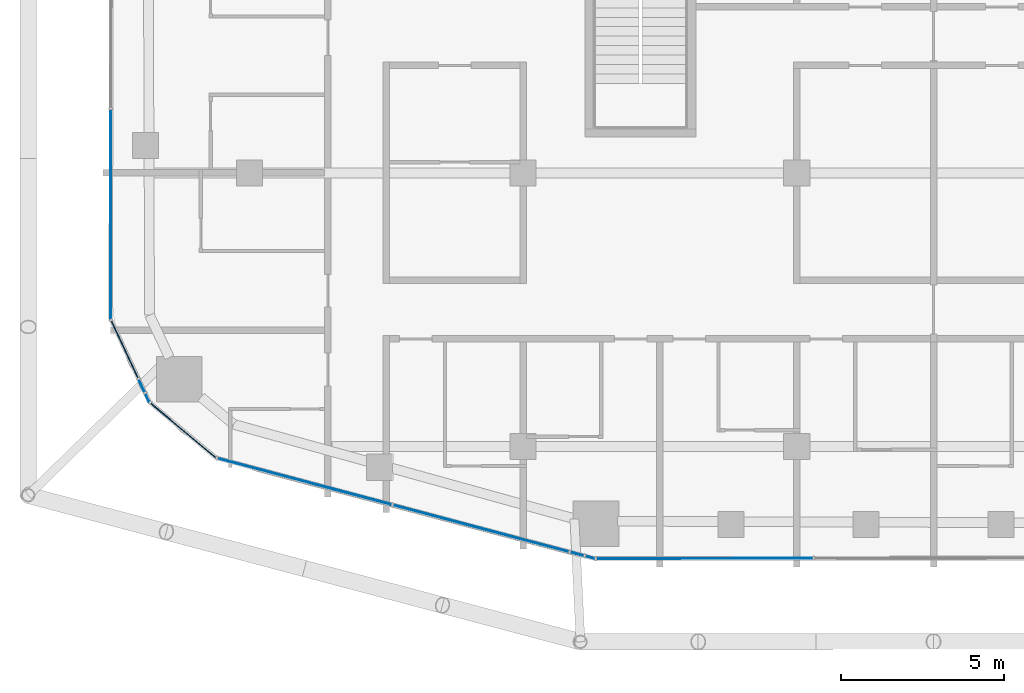
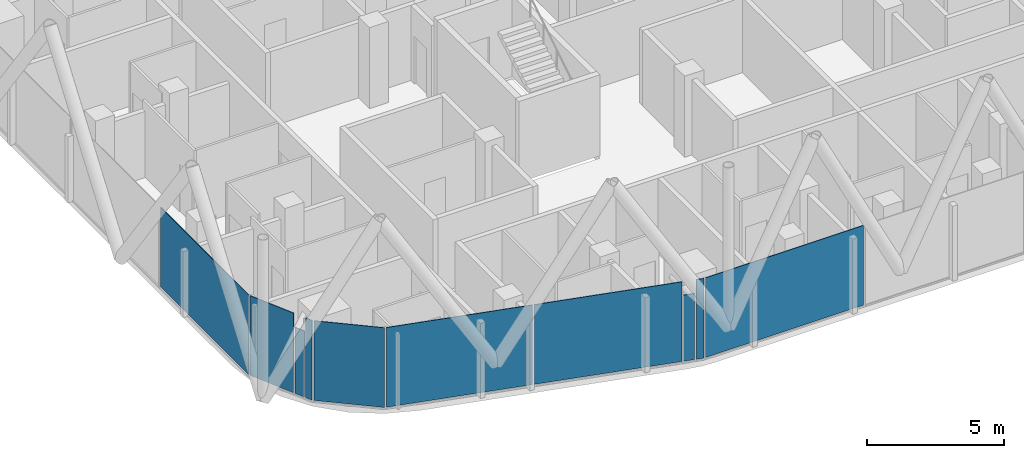
# One storey, part 14 of 28: 10 plates, 9 elements without a shape of their own.
"""IFC4 building model written with IfcOpenShell, lengths in metres."""

from ifc_helpers import new_model, si_unit, direction, frame, origin, origin_2d, place, context, subcontext, project, spatial, rectangle, extrude, material, layer, layer_set, type_object, element, aggregate, save


model = new_model("IFC4")

# Units and contexts
model_context = context("Model", 3, precision=1e-05, world=origin(), true_north=direction((0.0, 1.0)))
body_context = subcontext(model_context, "Body", "Model", "MODEL_VIEW")
ifc_project = project(units=[si_unit("LENGTHUNIT", "METRE"), si_unit("AREAUNIT", "SQUARE_METRE"), si_unit("VOLUMEUNIT", "CUBIC_METRE"), si_unit("PLANEANGLEUNIT", "RADIAN"), si_unit("MASSUNIT", "GRAM", prefix="KILO")], contexts=[model_context])

# Site, building, storey
site_placement = place(None, origin())
site = spatial("IfcSite", under=ifc_project, at=site_placement, CompositionType="ELEMENT")
building_placement = place(site_placement, origin())
building = spatial("IfcBuilding", under=site, at=building_placement, Name="Marenta Gate Hotel Tower", CompositionType="ELEMENT")
storey_placement = place(building_placement, frame((0.0, 0.0, 212.89990234375)))
storey = spatial("IfcBuildingStorey", under=building, at=storey_placement, Name="L49", CompositionType="ELEMENT", Elevation=212.89990234375)

# Curtain wall, plate
ifc_material_1 = material(Name="Tinted insulated glass in bronze anodised frame", Category="glass")
ifc_layer_1 = layer(ifc_material_1, 0.1201171875)
ifc_layer_set_1 = layer_set([ifc_layer_1], Name="Tinted insulated glass in bronze anodised frame")
curtain_wall_type = type_object("IfcCurtainWallType", Name="Tower unitised curtain wall CW1", PredefinedType="NOTDEFINED", material=ifc_layer_set_1)
curtain_wall_1_placement = place(storey_placement, origin())
curtain_wall_1 = element("IfcCurtainWall", 1, at=curtain_wall_1_placement, inside=storey, type_object=curtain_wall_type, Name="CW1 run G04", PredefinedType="NOTDEFINED")
ifc_material_2 = material(Name="Tinted insulated glass", Category="glass")
ifc_layer_2 = layer(ifc_material_2, 0.028076171875)
ifc_layer_set_2 = layer_set([ifc_layer_2], Name="Tinted insulated glass")
plate_type = type_object("IfcPlateType", Name="Glass panel CW1 28 mm tinted insulated unit", PredefinedType="CURTAIN_PANEL", material=ifc_layer_set_2)
plate_1_placement = place(storey_placement, frame((-25.26806640625, -18.078857421875, 0.06005859375), z_axis=(0.0, 0.0, 1.0), x_axis=(-0.001566045546, -0.99999877375, 0.0)))
plate_1 = element("IfcPlate", 2, at=plate_1_placement, type_object=plate_type, Name="CW1 panel 6.1", PredefinedType="CURTAIN_PANEL", context=body_context, shape_type="SweptSolid", body=[
    extrude(rectangle(XDim=6.429931640625, YDim=0.028076171875, at=origin_2d()), origin(), (0.0, 0.0, 1.0), 3.5400390625),
])
aggregate(curtain_wall_1, [plate_1])

curtain_wall_2_placement = place(storey_placement, origin())
curtain_wall_2 = element("IfcCurtainWall", 3, at=curtain_wall_2_placement, inside=storey, type_object=curtain_wall_type, Name="CW1 run G05", PredefinedType="NOTDEFINED")
plate_2_placement = place(storey_placement, frame((-24.839599609375, -22.221435546875, 0.06005859375), z_axis=(0.0, 0.0, 1.0), x_axis=(0.423331565466, -0.905974826185, 0.0)))
plate_2 = element("IfcPlate", 4, at=plate_2_placement, type_object=plate_type, Name="CW1 panel 1.1", PredefinedType="CURTAIN_PANEL", context=body_context, shape_type="SweptSolid", body=[
    extrude(rectangle(XDim=1.927734375, YDim=0.028076171875, at=origin_2d()), origin(), (0.0, 0.0, 1.0), 3.5400390625),
])
aggregate(curtain_wall_2, [plate_2])

curtain_wall_3_placement = place(storey_placement, origin())
curtain_wall_3 = element("IfcCurtainWall", 5, at=curtain_wall_3_placement, inside=storey, type_object=curtain_wall_type, Name="CW1 run G06", PredefinedType="NOTDEFINED")
plate_3_placement = place(storey_placement, frame((-24.317138671875, -23.33935546875, 0.060302734375), z_axis=(0.0, 0.0, 1.0), x_axis=(0.423387289241, -0.905948786251, 0.0)))
plate_3 = element("IfcPlate", 6, at=plate_3_placement, type_object=plate_type, Name="CW1 panel 1.1", PredefinedType="CURTAIN_PANEL", context=body_context, shape_type="SweptSolid", body=[
    extrude(rectangle(XDim=0.419921875, YDim=0.028076171875, at=origin_2d()), origin(), (0.0, 0.0, 1.0), 2.9404296875),
])
aggregate(curtain_wall_3, [plate_3])

curtain_wall_4_placement = place(storey_placement, origin())
curtain_wall_4 = element("IfcCurtainWall", 7, at=curtain_wall_4_placement, inside=storey, type_object=curtain_wall_type, Name="CW1 run G07", PredefinedType="NOTDEFINED")
plate_4_placement = place(storey_placement, frame((-24.142822265625, -23.71240234375, 0.06005859375), z_axis=(0.0, 0.0, 1.0), x_axis=(0.423299800084, -0.905989668401, 0.0)))
plate_4 = element("IfcPlate", 8, at=plate_4_placement, type_object=plate_type, Name="CW1 panel 1.1", PredefinedType="CURTAIN_PANEL", context=body_context, shape_type="SweptSolid", body=[
    extrude(rectangle(XDim=0.283447265625, YDim=0.028076171875, at=origin_2d()), origin(), (0.0, 0.0, 1.0), 3.5400390625),
])
aggregate(curtain_wall_4, [plate_4])

curtain_wall_5_placement = place(storey_placement, origin())
curtain_wall_5 = element("IfcCurtainWall", 9, at=curtain_wall_5_placement, inside=storey, type_object=curtain_wall_type, Name="CW1 run G08", PredefinedType="NOTDEFINED")
plate_5_placement = place(storey_placement, frame((-23.0361328125, -24.716064453125, 0.06005859375), z_axis=(0.0, 0.0, 1.0), x_axis=(0.767102345594, -0.641524739495, 0.0)))
plate_5 = element("IfcPlate", 10, at=plate_5_placement, type_object=plate_type, Name="CW1 panel 1.1", PredefinedType="CURTAIN_PANEL", context=body_context, shape_type="SweptSolid", body=[
    extrude(rectangle(XDim=2.609375, YDim=0.028076171875, at=origin_2d()), origin(), (0.0, 0.0, 1.0), 3.5400390625),
])
aggregate(curtain_wall_5, [plate_5])

# Curtain wall, plates
curtain_wall_6_placement = place(storey_placement, origin())
curtain_wall_6 = element("IfcCurtainWall", 11, at=curtain_wall_6_placement, inside=storey, type_object=curtain_wall_type, Name="CW1 run G09", PredefinedType="NOTDEFINED")
plate_6_placement = place(storey_placement, frame((-19.31298828125, -26.27734375, 0.06005859375), z_axis=(0.0, 0.0, 1.0), x_axis=(0.966376360931, -0.257131734785, 0.0)))
plate_6 = element("IfcPlate", 12, at=plate_6_placement, type_object=plate_type, Name="CW1 panel 1.1", PredefinedType="CURTAIN_PANEL", context=body_context, shape_type="SweptSolid", body=[
    extrude(rectangle(XDim=5.51416015625, YDim=0.028076171875, at=origin_2d()), origin(), (0.0, 0.0, 1.0), 3.5400390625),
])
plate_7_placement = place(storey_placement, frame((-13.897216796875, -27.718505859375, 0.06005859375), z_axis=(0.0, 0.0, 1.0), x_axis=(0.966376360931, -0.257131734785, 0.0)))
plate_7 = element("IfcPlate", 13, at=plate_7_placement, type_object=plate_type, Name="CW1 panel 2.1", PredefinedType="CURTAIN_PANEL", context=body_context, shape_type="SweptSolid", body=[
    extrude(rectangle(XDim=5.57421875, YDim=0.028076171875, at=origin_2d()), origin(), (0.0, 0.0, 1.0), 3.5400390625),
])
aggregate(curtain_wall_6, [plate_6, plate_7])

# Curtain wall, plate
curtain_wall_7_placement = place(storey_placement, origin())
curtain_wall_7 = element("IfcCurtainWall", 14, at=curtain_wall_7_placement, inside=storey, type_object=curtain_wall_type, Name="CW1 run G10", PredefinedType="NOTDEFINED")
plate_8_placement = place(storey_placement, frame((-10.945068359375, -28.50390625, 0.060302734375), z_axis=(0.0, 0.0, 1.0), x_axis=(0.966384808868, -0.257099982864, 0.0)))
plate_8 = element("IfcPlate", 15, at=plate_8_placement, type_object=plate_type, Name="CW1 panel 1.1", PredefinedType="CURTAIN_PANEL", context=body_context, shape_type="SweptSolid", body=[
    extrude(rectangle(XDim=0.415771484375, YDim=0.028076171875, at=origin_2d()), origin(), (0.0, 0.0, 1.0), 2.9404296875),
])
aggregate(curtain_wall_7, [plate_8])

curtain_wall_8_placement = place(storey_placement, origin())
curtain_wall_8 = element("IfcCurtainWall", 16, at=curtain_wall_8_placement, inside=storey, type_object=curtain_wall_type, Name="CW1 run G11", PredefinedType="NOTDEFINED")
plate_9_placement = place(storey_placement, frame((-10.546142578125, -28.610107421875, 0.06005859375), z_axis=(0.0, 0.0, 1.0), x_axis=(0.966296560535, -0.257431460974, 0.0)))
plate_9 = element("IfcPlate", 17, at=plate_9_placement, type_object=plate_type, Name="CW1 panel 1.1", PredefinedType="CURTAIN_PANEL", context=body_context, shape_type="SweptSolid", body=[
    extrude(rectangle(XDim=0.2900390625, YDim=0.028076171875, at=origin_2d()), origin(), (0.0, 0.0, 1.0), 3.5400390625),
])
aggregate(curtain_wall_8, [plate_9])

curtain_wall_9_placement = place(storey_placement, origin())
curtain_wall_9 = element("IfcCurtainWall", 18, at=curtain_wall_9_placement, inside=storey, type_object=curtain_wall_type, Name="CW1 run G12", PredefinedType="NOTDEFINED")
plate_10_placement = place(storey_placement, frame((-7.024169921875, -28.641845703125, 0.06005859375), z_axis=(0.0, 0.0, 1.0), x_axis=(0.999998649471, 0.001643488917, 0.0)))
plate_10 = element("IfcPlate", 19, at=plate_10_placement, type_object=plate_type, Name="CW1 panel 1.1", PredefinedType="CURTAIN_PANEL", context=body_context, shape_type="SweptSolid", body=[
    extrude(rectangle(XDim=6.6435546875, YDim=0.028076171875, at=origin_2d()), origin(), (0.0, 0.0, 1.0), 3.5400390625),
])
aggregate(curtain_wall_9, [plate_10])

save(model, "model.ifc")
